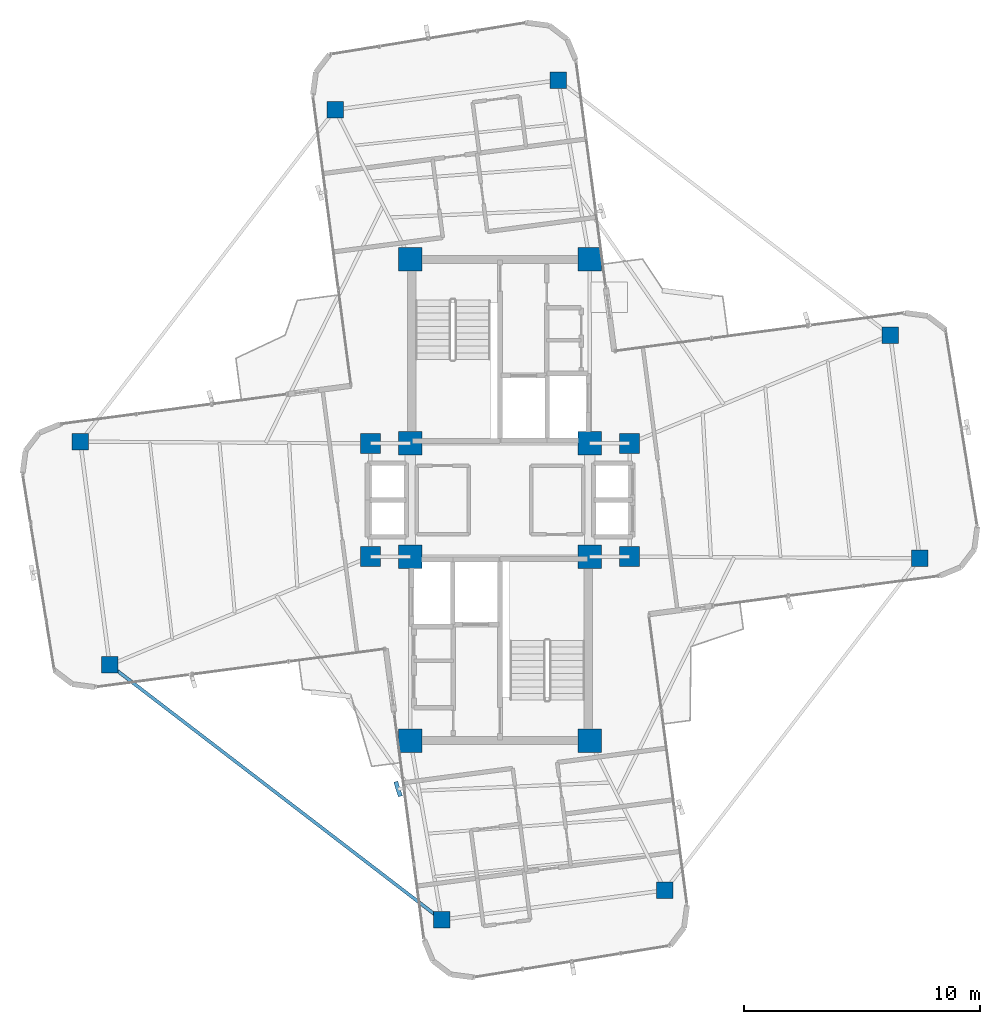
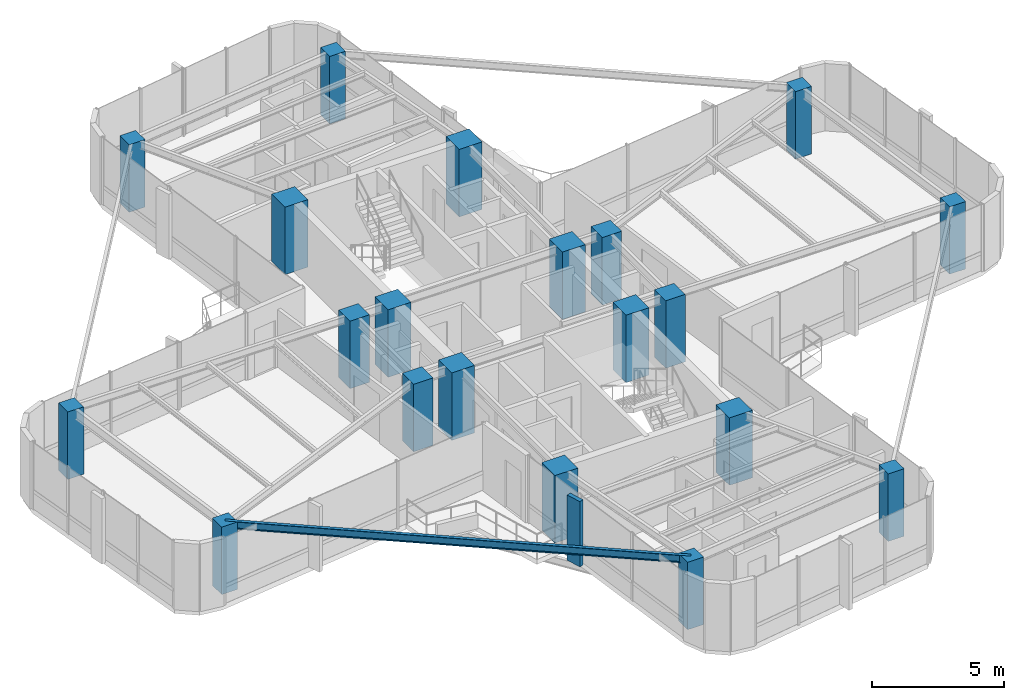
# One storey, part 1 of 22: 20 columns, 1 beam, 1 member, 1 element without a shape of its own.
"""IFC4 building model written with IfcOpenShell, lengths in metres."""

from ifc_helpers import new_model, si_unit, direction, frame, origin, origin_2d, place, context, subcontext, project, spatial, rectangle, i_section, extrude, source, transform, mapped, material, material_profile, profile_set, type_object, element, aggregate, save


model = new_model("IFC4")

# Units and contexts
model_context = context("Model", 3, precision=1e-05, world=origin(), true_north=direction((0.0, 1.0)))
body_context = subcontext(model_context, "Body", "Model", "MODEL_VIEW")
ifc_project = project(units=[si_unit("LENGTHUNIT", "METRE"), si_unit("AREAUNIT", "SQUARE_METRE"), si_unit("VOLUMEUNIT", "CUBIC_METRE"), si_unit("PLANEANGLEUNIT", "RADIAN"), si_unit("MASSUNIT", "GRAM", prefix="KILO")], contexts=[model_context])

# Site, building, storey
site_placement = place(None, origin())
site = spatial("IfcSite", under=ifc_project, at=site_placement, CompositionType="ELEMENT")
building_placement = place(site_placement, origin())
building = spatial("IfcBuilding", under=site, at=building_placement, Name="Sahyath Konkavel Grand Hotel", CompositionType="ELEMENT")
storey_placement = place(building_placement, frame((0.0, 0.0, 237.800048828125)))
storey = spatial("IfcBuildingStorey", under=building, at=storey_placement, Name="L66", CompositionType="ELEMENT", Elevation=237.800048828125)

# Columns
ifc_material_1 = material(Name="Concrete C50/60", Category="concrete")
ifc_material_profile_1 = material_profile(ifc_material_1, rectangle(XDim=1.0, YDim=1.0, at=origin_2d()), Name="RC 1000x1000")
ifc_profile_set_1 = profile_set([ifc_material_profile_1], Name="Concrete C50/60")
column_type_1 = type_object("IfcColumnType", Name="COL-RC1000", PredefinedType="COLUMN", material=ifc_profile_set_1)
shared_shape_1 = source(origin(), body_context, "Body", "SweptSolid", [
    extrude(rectangle(XDim=1.0, YDim=1.0, at=origin_2d()), origin(), (0.0, 0.0, 1.0), 3.10986328125),
])
for number, where, z_axis, x_axis, name in (
    (1, (-3.800048828125, 2.39990234375, 0.0), (0.0, 0.0, 1.0), (1.0, 0.0, 0.0), "L66 Core Boundary Column NC-SW"),
    (2, (3.800048828125, 2.39990234375, 0.0), (0.0, 0.0, 1.0), (1.0, 0.0, 0.0), "L66 Core Boundary Column NC-SE"),
    (3, (-3.800048828125, 10.199951171875, 0.0), (0.0, 0.0, 1.0), (1.0, 0.0, 0.0), "L66 Core Boundary Column NC-NW"),
    (4, (3.800048828125, 10.199951171875, 0.0), (0.0, 0.0, 1.0), (1.0, 0.0, 0.0), "L66 Core Boundary Column NC-NE"),
    (5, (-3.800048828125, -2.39990234375, 0.0), (0.0, 0.0, 1.0), (1.0, 0.0, 0.0), "L66 Core Boundary Column SC-NW"),
    (6, (3.800048828125, -2.39990234375, 0.0), (0.0, 0.0, 1.0), (1.0, 0.0, 0.0), "L66 Core Boundary Column SC-NE"),
    (7, (-3.800048828125, -10.199951171875, 0.0), (0.0, 0.0, 1.0), (1.0, 0.0, 0.0), "L66 Core Boundary Column SC-SW"),
    (8, (3.800048828125, -10.199951171875, 0.0), (0.0, 0.0, 1.0), (1.0, 0.0, 0.0), "L66 Core Boundary Column SC-SE"),
):
    element("IfcColumn", number, at=place(storey_placement, frame(where, z_axis=z_axis, x_axis=x_axis)), inside=storey, type_object=column_type_1, Name=name, PredefinedType="COLUMN", context=body_context, shape_type="MappedRepresentation", body=[
        mapped(shared_shape_1, transform((0.0, 0.0, 0.0), scale=1.0)),
    ])
ifc_material_2 = material(Name="Concrete C40/50", Category="concrete")
ifc_material_profile_2 = material_profile(ifc_material_2, rectangle(XDim=0.85009765625, YDim=0.85009765625, at=origin_2d()), Name="RC 850x850")
ifc_profile_set_2 = profile_set([ifc_material_profile_2], Name="Concrete C40/50")
column_type_2 = type_object("IfcColumnType", Name="COL-RC850", PredefinedType="COLUMN", material=ifc_profile_set_2)
shared_shape_2 = source(origin(), body_context, "Body", "SweptSolid", [
    extrude(rectangle(XDim=0.85009765625, YDim=0.85009765625, at=origin_2d()), origin(), (0.0, 0.0, 1.0), 3.10986328125),
])
for number, where, z_axis, x_axis, name in (
    (9, (5.5, 2.39990234375, 0.0), (0.0, 0.0, 1.0), (1.0, 0.0, 0.0), "L66 Central Spine Column HB-NE"),
    (10, (-5.5, 2.39990234375, 0.0), (0.0, 0.0, 1.0), (1.0, 0.0, 0.0), "L66 Central Spine Column HB-NW"),
    (11, (5.5, -2.39990234375, 0.0), (0.0, 0.0, 1.0), (1.0, 0.0, 0.0), "L66 Central Spine Column HB-SE"),
    (12, (-5.5, -2.39990234375, 0.0), (0.0, 0.0, 1.0), (1.0, 0.0, 0.0), "L66 Central Spine Column HB-SW"),
):
    element("IfcColumn", number, at=place(storey_placement, frame(where, z_axis=z_axis, x_axis=x_axis)), inside=storey, type_object=column_type_2, Name=name, PredefinedType="COLUMN", context=body_context, shape_type="MappedRepresentation", body=[
        mapped(shared_shape_2, transform((0.0, 0.0, 0.0), scale=1.0)),
    ])
ifc_material_profile_3 = material_profile(ifc_material_2, rectangle(XDim=0.699951171875, YDim=0.699951171875, at=origin_2d()), Name="RC 700x700")
ifc_profile_set_3 = profile_set([ifc_material_profile_3], Name="Concrete C40/50")
column_type_3 = type_object("IfcColumnType", Name="COL-RC700", PredefinedType="COLUMN", material=ifc_profile_set_3)
shared_shape_3 = source(origin(), body_context, "Body", "SweptSolid", [
    extrude(rectangle(XDim=0.699951171875, YDim=0.699951171875, at=origin_2d()), origin(), (0.0, 0.0, 1.0), 3.10986328125),
])
for number, where, z_axis, x_axis, name in (
    (13, (17.795166015625, -2.473388671875, 0.0), (0.0, 0.0, 1.0), (1.0, 0.0, 0.0), "L66 Cruciform Wing Column WC-EA"),
    (14, (16.548583984375, 6.994873046875, 0.0), (0.0, 0.0, 1.0), (1.0, 0.0, 0.0), "L66 Cruciform Wing Column WC-EB"),
    (15, (2.473388671875, 17.795166015625, 0.0), (0.0, 0.0, 1.0), (1.0, 0.0, 0.0), "L66 Cruciform Wing Column WC-NA"),
    (16, (-6.994873046875, 16.548583984375, 0.0), (0.0, 0.0, 1.0), (1.0, 0.0, 0.0), "L66 Cruciform Wing Column WC-NB"),
    (17, (-17.795166015625, 2.473388671875, 0.0), (0.0, 0.0, 1.0), (1.0, 0.0, 0.0), "L66 Cruciform Wing Column WC-WA"),
    (18, (-16.548583984375, -6.994873046875, 0.0), (0.0, 0.0, 1.0), (1.0, 0.0, 0.0), "L66 Cruciform Wing Column WC-WB"),
    (19, (-2.473388671875, -17.795166015625, 0.0), (0.0, 0.0, 1.0), (1.0, 0.0, 0.0), "L66 Cruciform Wing Column WC-SA"),
    (20, (6.994873046875, -16.548583984375, 0.0), (0.0, 0.0, 1.0), (1.0, 0.0, 0.0), "L66 Cruciform Wing Column WC-SB"),
):
    element("IfcColumn", number, at=place(storey_placement, frame(where, z_axis=z_axis, x_axis=x_axis)), inside=storey, type_object=column_type_3, Name=name, PredefinedType="COLUMN", context=body_context, shape_type="MappedRepresentation", body=[
        mapped(shared_shape_3, transform((0.0, 0.0, 0.0), scale=1.0)),
    ])

# Beam
ifc_material_3 = material(Name="Steel E350", Category="steel")
ifc_material_profile_4 = material_profile(ifc_material_3, i_section(OverallWidth=0.139892578125, OverallDepth=0.35009765625, WebThickness=0.008056640625, FlangeThickness=0.01416015625, FilletRadius=0.013916015625, at=origin_2d()), Name="ISMB 350")
ifc_profile_set_4 = profile_set([ifc_material_profile_4], Name="Steel E350")
beam_type = type_object("IfcBeamType", Name="BM-ISMB350", PredefinedType="BEAM", material=ifc_profile_set_4)
shared_shape_4 = source(origin(), body_context, "Body", "SweptSolid", [
    extrude(i_section(OverallWidth=0.139892578125, OverallDepth=0.35009765625, WebThickness=0.008056640625, FlangeThickness=0.01416015625, FilletRadius=0.013916015625, at=origin_2d()), origin(), (0.0, 0.0, 1.0), 17.741455078125),
])
beam_placement = place(storey_placement, frame((-16.548583984375, -6.994873046875, 2.93505859375), z_axis=(0.793352911691, -0.60876198757, 0.0), x_axis=(0.60876198757, 0.793352911691, 0.0)))
element("IfcBeam", 21, at=beam_placement, inside=storey, type_object=beam_type, Name="L66 Re-Entrant Tie Beam SW", PredefinedType="BEAM", context=body_context, shape_type="MappedRepresentation", body=[
    mapped(shared_shape_4, transform((0.0, 0.0, 0.0), scale=1.0)),
])

# Curtain wall, member
ifc_material_4 = material(Name="Anodised Bronze Aluminium & Low-E Glazing", Category="aluminium")
curtain_wall_type = type_object("IfcCurtainWallType", Name="CW-ZONE4", PredefinedType="NOTDEFINED", material=ifc_material_4)
curtain_wall_placement = place(storey_placement, origin())
curtain_wall = element("IfcCurtainWall", 22, at=curtain_wall_placement, inside=storey, type_object=curtain_wall_type, Name="L66 Unitised Curtain Wall F24", PredefinedType="NOTDEFINED")
ifc_material_5 = material(Name="Warm Buff Sandstone Cladding on Concrete C50/60", Category="masonry")
ifc_material_profile_5 = material_profile(ifc_material_5, rectangle(XDim=0.179931640625, YDim=0.64990234375, at=origin_2d()), Name="FIN 180x650")
ifc_profile_set_5 = profile_set([ifc_material_profile_5], Name="Warm Buff Sandstone Cladding on Concrete C50/60")
member_type = type_object("IfcMemberType", Name="FIN-SANDSTONE-650", PredefinedType="MULLION", material=ifc_profile_set_5)
shared_shape_5 = source(origin(), body_context, "Body", "SweptSolid", [
    extrude(rectangle(XDim=0.179931640625, YDim=0.64990234375, at=origin_2d()), origin(), (0.0, 0.0, 1.0), 3.010009765625),
])
member_placement = place(storey_placement, frame((-4.322509765625, -12.255615234375, 0.050048828125), z_axis=(0.0, 0.0, 1.0), x_axis=(0.952502159334, 0.304531831612, 0.0)))
member = element("IfcMember", 23, at=member_placement, type_object=member_type, Name="L66 Sandstone Vertical Solar Fin FIN F24-1", PredefinedType="MULLION", context=body_context, shape_type="MappedRepresentation", body=[
    mapped(shared_shape_5, transform((0.0, 0.0, 0.0), scale=1.0)),
])
aggregate(curtain_wall, [member])

save(model, "model.ifc")
